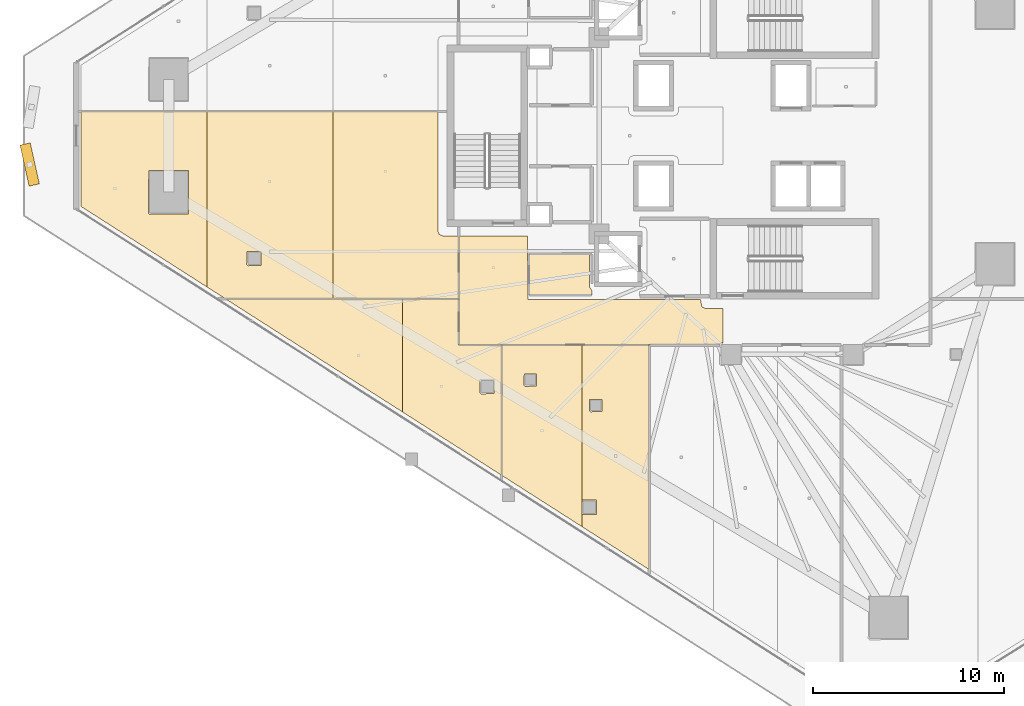
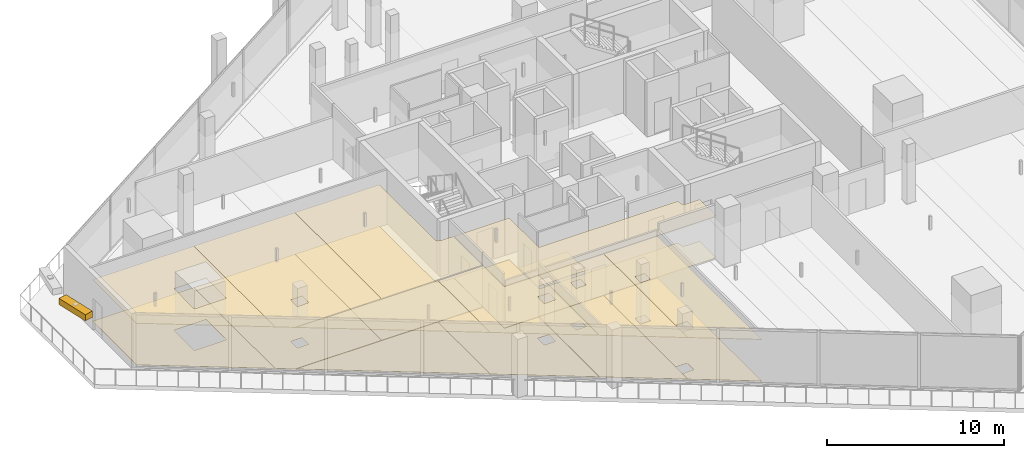
# One storey, part 34 of 42: 17 coverings, 1 shading device.
"""IFC4 building model written with IfcOpenShell, lengths in metres."""

from ifc_helpers import new_model, si_unit, direction, frame, origin, origin_2d, place, context, subcontext, project, spatial, polyline, rectangle, outline, extrude, material, layer, layer_set, type_object, element, save


model = new_model("IFC4")

# Units and contexts
model_context = context("Model", 3, precision=1e-05, world=origin(), true_north=direction((0.0, 1.0)))
body_context = subcontext(model_context, "Body", "Model", "MODEL_VIEW")
ifc_project = project(units=[si_unit("LENGTHUNIT", "METRE"), si_unit("AREAUNIT", "SQUARE_METRE"), si_unit("VOLUMEUNIT", "CUBIC_METRE"), si_unit("PLANEANGLEUNIT", "RADIAN"), si_unit("MASSUNIT", "GRAM", prefix="KILO")], contexts=[model_context])

# Site, building, storey
site_placement = place(None, origin())
site = spatial("IfcSite", under=ifc_project, at=site_placement, CompositionType="ELEMENT")
building_placement = place(site_placement, origin())
building = spatial("IfcBuilding", under=site, at=building_placement, Name="Qorvath Tower", CompositionType="ELEMENT")
storey_placement = place(building_placement, frame((0.0, 0.0, 117.89990234375)))
storey = spatial("IfcBuildingStorey", under=building, at=storey_placement, Name="L26", CompositionType="ELEMENT", Elevation=117.89990234375)

# Coverings
ifc_material_1 = material(Name="Acoustic mineral fibre ceiling tile", Category="gypsum")
ifc_layer_1 = layer(ifc_material_1, 0.030029296875)
ifc_layer_set_1 = layer_set([ifc_layer_1], Name="COV-CEIL")
covering_type_1 = type_object("IfcCoveringType", Name="COV-CEIL", PredefinedType="CEILING", material=ifc_layer_set_1)
covering_1_placement = place(storey_placement, frame((0.0, 0.0, 2.85009765625)))
element("IfcCovering", 1, at=covering_1_placement, inside=storey, type_object=covering_type_1, Name="L26 Suspended Acoustic Ceiling 008", PredefinedType="CEILING", context=body_context, shape_type="SweptSolid", body=[
    extrude(outline(polyline([(-34.22509765625, -8.580078125), (-34.251220703125, -5.239990234375), (-37.844970703125, -5.239990234375), (-37.844970703125, -10.945068359375), (-24.18505859375, -10.945068359375), (-24.125, -10.864990234375), (-24.02001953125, -10.864990234375), (-24.02001953125, -9.0400390625), (-24.93994140625, -9.0400390625), (-25.11669921875, -8.966796875), (-25.18994140625, -8.57421875), (-34.22509765625, -8.580078125)])), origin(), (0.0, 0.0, 1.0), 0.030029296875),
])
covering_2_placement = place(storey_placement, frame((0.0, 0.0, 2.85009765625)))
element("IfcCovering", 2, at=covering_2_placement, inside=storey, type_object=covering_type_1, Name="L26 Suspended Acoustic Ceiling 017", PredefinedType="CEILING", context=body_context, shape_type="SweptSolid", body=[
    extrude(outline(polyline([(-50.07763671875, -8.541015625), (-40.80517578125, -14.4658203125), (-40.80517578125, -8.551513671875), (-50.07763671875, -8.541015625)])), origin(), (0.0, 0.0, 1.0), 0.030029296875),
])
covering_3_placement = place(storey_placement, frame((0.0, 0.0, 2.85009765625)))
element("IfcCovering", 3, at=covering_3_placement, inside=storey, type_object=covering_type_1, Name="L26 Suspended Acoustic Ceiling 018", PredefinedType="CEILING", context=body_context, shape_type="SweptSolid", body=[
    extrude(outline(polyline([(-40.80517578125, -8.551513671875), (-40.80517578125, -14.4658203125), (-35.62060546875, -17.778564453125), (-35.62060546875, -10.962890625), (-37.861572265625, -10.96142578125), (-37.863037109375, -8.554931640625), (-40.80517578125, -8.551513671875)]), holes=[polyline([(-36.749755859375, -13.46044921875), (-36.732177734375, -12.76806640625), (-35.997314453125, -12.76806640625), (-35.997314453125, -13.5029296875), (-36.689697265625, -13.5205078125), (-36.749755859375, -13.46044921875)])]), origin(), (0.0, 0.0, 1.0), 0.030029296875),
])
covering_4_placement = place(storey_placement, frame((0.0, 0.0, 2.85009765625)))
element("IfcCovering", 4, at=covering_4_placement, inside=storey, type_object=covering_type_1, Name="L26 Suspended Acoustic Ceiling 019", PredefinedType="CEILING", context=body_context, shape_type="SweptSolid", body=[
    extrude(outline(polyline([(-35.6025390625, -10.962890625), (-35.6025390625, -17.7900390625), (-31.39306640625, -20.48046875), (-31.39306640625, -19.79345703125), (-31.401123046875, -19.785400390625), (-31.39306640625, -19.46728515625), (-31.39306640625, -10.962890625), (-35.6025390625, -10.962890625)]), holes=[polyline([(-34.439208984375, -13.0673828125), (-34.421630859375, -12.47509765625), (-33.786865234375, -12.47509765625), (-33.786865234375, -13.10986328125), (-34.379150390625, -13.12744140625), (-34.439208984375, -13.0673828125)])]), origin(), (0.0, 0.0, 1.0), 0.030029296875),
])
covering_5_placement = place(storey_placement, frame((0.0, 0.0, 2.85009765625)))
element("IfcCovering", 5, at=covering_5_placement, inside=storey, type_object=covering_type_1, Name="L26 Suspended Acoustic Ceiling 020", PredefinedType="CEILING", context=body_context, shape_type="SweptSolid", body=[
    extrude(outline(polyline([(-31.39306640625, -10.962890625), (-31.39306640625, -19.46728515625), (-31.383544921875, -19.093017578125), (-30.648681640625, -19.093017578125), (-30.648681640625, -19.827880859375), (-31.341064453125, -19.845458984375), (-31.39306640625, -19.79345703125), (-31.39306640625, -20.48046875), (-27.8837890625, -22.723388671875), (-27.8837890625, -10.962890625), (-31.39306640625, -10.962890625)]), holes=[polyline([(-31.01220703125, -14.3994140625), (-30.99462890625, -13.806884765625), (-30.35986328125, -13.806884765625), (-30.35986328125, -14.441650390625), (-30.9521484375, -14.459228515625), (-31.01220703125, -14.3994140625)])]), origin(), (0.0, 0.0, 1.0), 0.030029296875),
])
covering_6_placement = place(storey_placement, frame((0.0, 0.0, 2.85009765625)))
element("IfcCovering", 6, at=covering_6_placement, inside=storey, type_object=covering_type_1, Name="L26 Suspended Acoustic Ceiling 030", PredefinedType="CEILING", context=body_context, shape_type="SweptSolid", body=[
    extrude(outline(polyline([(-51.043701171875, -7.921142578125), (-51.043701171875, 1.26708984375), (-57.634033203125, 1.267333984375), (-57.634033203125, -3.708984375), (-51.043701171875, -7.921142578125)]), holes=[polyline([(-54.109375, -4.05078125), (-54.091796875, -1.808349609375), (-52.007080078125, -1.808349609375), (-52.007080078125, -4.09326171875), (-54.04931640625, -4.11083984375), (-54.109375, -4.05078125)])]), origin(), (0.0, 0.0, 1.0), 0.030029296875),
])
covering_7_placement = place(storey_placement, frame((0.0, 0.0, 2.85009765625)))
element("IfcCovering", 7, at=covering_7_placement, inside=storey, type_object=covering_type_1, Name="L26 Suspended Acoustic Ceiling 031", PredefinedType="CEILING", context=body_context, shape_type="SweptSolid", body=[
    extrude(outline(polyline([(-44.453369140625, -8.53369140625), (-44.453369140625, 1.266845703125), (-51.043701171875, 1.26708984375), (-51.043701171875, -7.921142578125), (-50.08984375, -8.53076171875), (-44.453369140625, -8.53369140625)]), holes=[polyline([(-48.96337890625, -6.74951171875), (-48.94580078125, -6.05712890625), (-48.2109375, -6.05712890625), (-48.2109375, -6.7919921875), (-48.9033203125, -6.8095703125), (-48.96337890625, -6.74951171875)])]), origin(), (0.0, 0.0, 1.0), 0.030029296875),
])
covering_8_placement = place(storey_placement, frame((0.0, 0.0, 2.85009765625)))
element("IfcCovering", 8, at=covering_8_placement, inside=storey, type_object=covering_type_1, Name="L26 Suspended Acoustic Ceiling 032", PredefinedType="CEILING", context=body_context, shape_type="SweptSolid", body=[
    extrude(outline(polyline([(-38.949951171875, 1.2666015625), (-44.453369140625, 1.266845703125), (-44.453369140625, -8.53369140625), (-37.863037109375, -8.537109375), (-37.863037109375, -5.239990234375), (-38.699951171875, -5.239990234375), (-38.876708984375, -5.166748046875), (-38.949951171875, -4.989990234375), (-38.949951171875, 1.2666015625)])), origin(), (0.0, 0.0, 1.0), 0.030029296875),
])
ifc_material_2 = material(Name="Low-VOC modular carpet tile", Category="textile")
ifc_layer_2 = layer(ifc_material_2, 0.014892578125)
ifc_layer_set_2 = layer_set([ifc_layer_2], Name="COV-FLOOR-CPT")
covering_type_2 = type_object("IfcCoveringType", Name="COV-FLOOR-CPT", PredefinedType="FLOORING", material=ifc_layer_set_2)
covering_9_placement = place(storey_placement, origin())
element("IfcCovering", 9, at=covering_9_placement, inside=storey, type_object=covering_type_2, Name="L26 Floor Finish 017", PredefinedType="FLOORING", context=body_context, shape_type="SweptSolid", body=[
    extrude(outline(polyline([(-50.07763671875, -8.541015625), (-40.80517578125, -14.4658203125), (-40.80517578125, -8.551513671875), (-50.07763671875, -8.541015625)])), origin(), (0.0, 0.0, 1.0), 0.01513671875),
])
covering_10_placement = place(storey_placement, origin())
element("IfcCovering", 10, at=covering_10_placement, inside=storey, type_object=covering_type_2, Name="L26 Floor Finish 018", PredefinedType="FLOORING", context=body_context, shape_type="SweptSolid", body=[
    extrude(outline(polyline([(-40.80517578125, -8.551513671875), (-40.80517578125, -14.4658203125), (-35.62060546875, -17.778564453125), (-35.62060546875, -10.962890625), (-37.861572265625, -10.96142578125), (-37.863037109375, -8.554931640625), (-40.80517578125, -8.551513671875)]), holes=[polyline([(-36.749755859375, -13.46044921875), (-36.732177734375, -12.76806640625), (-35.997314453125, -12.76806640625), (-35.997314453125, -13.5029296875), (-36.689697265625, -13.5205078125), (-36.749755859375, -13.46044921875)])]), origin(), (0.0, 0.0, 1.0), 0.01513671875),
])
covering_11_placement = place(storey_placement, origin())
element("IfcCovering", 11, at=covering_11_placement, inside=storey, type_object=covering_type_2, Name="L26 Floor Finish 019", PredefinedType="FLOORING", context=body_context, shape_type="SweptSolid", body=[
    extrude(outline(polyline([(-35.6025390625, -10.962890625), (-35.6025390625, -17.7900390625), (-31.39306640625, -20.48046875), (-31.39306640625, -19.79345703125), (-31.401123046875, -19.785400390625), (-31.39306640625, -19.46728515625), (-31.39306640625, -10.962890625), (-35.6025390625, -10.962890625)]), holes=[polyline([(-34.439208984375, -13.0673828125), (-34.421630859375, -12.47509765625), (-33.786865234375, -12.47509765625), (-33.786865234375, -13.10986328125), (-34.379150390625, -13.12744140625), (-34.439208984375, -13.0673828125)])]), origin(), (0.0, 0.0, 1.0), 0.01513671875),
])
covering_12_placement = place(storey_placement, origin())
element("IfcCovering", 12, at=covering_12_placement, inside=storey, type_object=covering_type_2, Name="L26 Floor Finish 020", PredefinedType="FLOORING", context=body_context, shape_type="SweptSolid", body=[
    extrude(outline(polyline([(-31.39306640625, -10.962890625), (-31.39306640625, -19.46728515625), (-31.383544921875, -19.093017578125), (-30.648681640625, -19.093017578125), (-30.648681640625, -19.827880859375), (-31.341064453125, -19.845458984375), (-31.39306640625, -19.79345703125), (-31.39306640625, -20.48046875), (-27.8837890625, -22.723388671875), (-27.8837890625, -10.962890625), (-31.39306640625, -10.962890625)]), holes=[polyline([(-31.01220703125, -14.3994140625), (-30.99462890625, -13.806884765625), (-30.35986328125, -13.806884765625), (-30.35986328125, -14.441650390625), (-30.9521484375, -14.459228515625), (-31.01220703125, -14.3994140625)])]), origin(), (0.0, 0.0, 1.0), 0.01513671875),
])
covering_13_placement = place(storey_placement, origin())
element("IfcCovering", 13, at=covering_13_placement, inside=storey, type_object=covering_type_2, Name="L26 Floor Finish 030", PredefinedType="FLOORING", context=body_context, shape_type="SweptSolid", body=[
    extrude(outline(polyline([(-51.043701171875, -7.921142578125), (-51.043701171875, 1.26708984375), (-57.634033203125, 1.267333984375), (-57.634033203125, -3.708984375), (-51.043701171875, -7.921142578125)]), holes=[polyline([(-54.109375, -4.05078125), (-54.091796875, -1.808349609375), (-52.007080078125, -1.808349609375), (-52.007080078125, -4.09326171875), (-54.04931640625, -4.11083984375), (-54.109375, -4.05078125)])]), origin(), (0.0, 0.0, 1.0), 0.01513671875),
])
covering_14_placement = place(storey_placement, origin())
element("IfcCovering", 14, at=covering_14_placement, inside=storey, type_object=covering_type_2, Name="L26 Floor Finish 031", PredefinedType="FLOORING", context=body_context, shape_type="SweptSolid", body=[
    extrude(outline(polyline([(-44.453369140625, -8.53369140625), (-44.453369140625, 1.266845703125), (-51.043701171875, 1.26708984375), (-51.043701171875, -7.921142578125), (-50.08984375, -8.53076171875), (-44.453369140625, -8.53369140625)]), holes=[polyline([(-48.96337890625, -6.74951171875), (-48.94580078125, -6.05712890625), (-48.2109375, -6.05712890625), (-48.2109375, -6.7919921875), (-48.9033203125, -6.8095703125), (-48.96337890625, -6.74951171875)])]), origin(), (0.0, 0.0, 1.0), 0.01513671875),
])
covering_15_placement = place(storey_placement, origin())
element("IfcCovering", 15, at=covering_15_placement, inside=storey, type_object=covering_type_2, Name="L26 Floor Finish 032", PredefinedType="FLOORING", context=body_context, shape_type="SweptSolid", body=[
    extrude(outline(polyline([(-38.949951171875, 1.2666015625), (-44.453369140625, 1.266845703125), (-44.453369140625, -8.53369140625), (-37.863037109375, -8.537109375), (-37.863037109375, -5.239990234375), (-38.699951171875, -5.239990234375), (-38.876708984375, -5.166748046875), (-38.949951171875, -4.989990234375), (-38.949951171875, 1.2666015625)])), origin(), (0.0, 0.0, 1.0), 0.01513671875),
])
ifc_material_3 = material(Name="Polished epoxy terrazzo flooring", Category="concrete")
ifc_layer_3 = layer(ifc_material_3, 0.02001953125)
ifc_layer_set_3 = layer_set([ifc_layer_3], Name="COV-FLOOR-TRZ")
covering_type_3 = type_object("IfcCoveringType", Name="COV-FLOOR-TRZ", PredefinedType="FLOORING", material=ifc_layer_set_3)
covering_16_placement = place(storey_placement, origin())
element("IfcCovering", 16, at=covering_16_placement, inside=storey, type_object=covering_type_3, Name="L26 Floor Finish 006", PredefinedType="FLOORING", context=body_context, shape_type="SweptSolid", body=[
    extrude(outline(polyline([(-30.885009765625, -8.344970703125), (-30.885009765625, -8.108154296875), (-31.010009765625, -7.909912109375), (-31.010009765625, -6.205078125), (-34.175048828125, -6.205078125), (-34.175048828125, -8.344970703125), (-30.885009765625, -8.344970703125)])), origin(), (0.0, 0.0, 1.0), 0.01513671875),
])
covering_17_placement = place(storey_placement, origin())
element("IfcCovering", 17, at=covering_17_placement, inside=storey, type_object=covering_type_3, Name="L26 Floor Finish 008", PredefinedType="FLOORING", context=body_context, shape_type="SweptSolid", body=[
    extrude(outline(polyline([(-34.22509765625, -8.580078125), (-34.251220703125, -5.239990234375), (-37.844970703125, -5.239990234375), (-37.844970703125, -10.945068359375), (-24.18505859375, -10.945068359375), (-24.125, -10.864990234375), (-24.02001953125, -10.864990234375), (-24.02001953125, -9.0400390625), (-24.93994140625, -9.0400390625), (-25.11669921875, -8.966796875), (-25.18994140625, -8.57421875), (-34.22509765625, -8.580078125)])), origin(), (0.0, 0.0, 1.0), 0.01513671875),
])

# Shading device
ifc_material_4 = material(Name="Anodised bronze-champagne aluminium", Category="aluminium")
shading_device_type = type_object("IfcShadingDeviceType", Name="SD-LOUVRE", PredefinedType="JALOUSIE", material=ifc_material_4)
shading_device_placement = place(storey_placement, frame((-60.33251953125, -1.505615234375, 3.35009765625), z_axis=(0.0, 0.0, 1.0), x_axis=(0.217371580175, -0.976088928393, 0.0)))
element("IfcShadingDevice", 18, at=shading_device_placement, inside=storey, type_object=shading_device_type, Name="Sinusoidal Wave Louvre Blade L26-02", PredefinedType="NOTDEFINED", context=body_context, shape_type="SweptSolid", body=[
    extrude(rectangle(XDim=2.199951171875, YDim=0.550048828125, at=origin_2d()), origin(), (0.0, 0.0, 1.0), 0.419921875),
])

save(model, "model.ifc")
